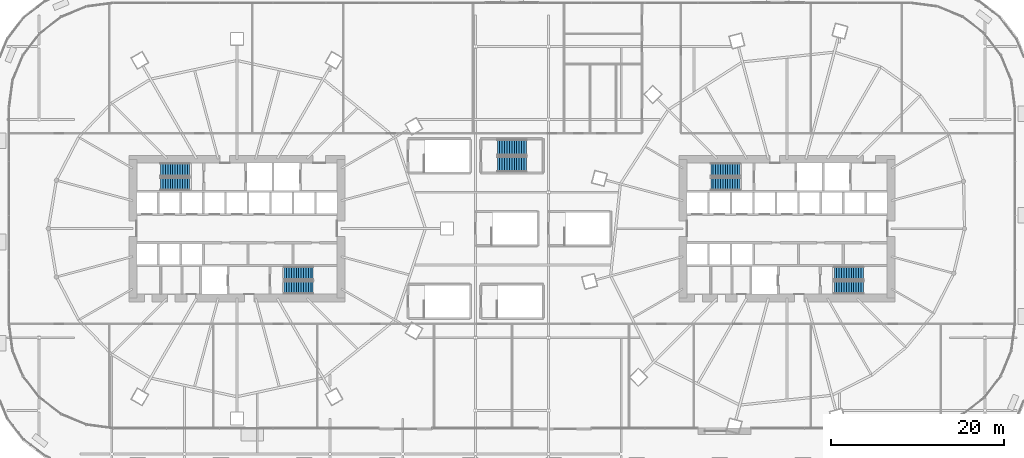
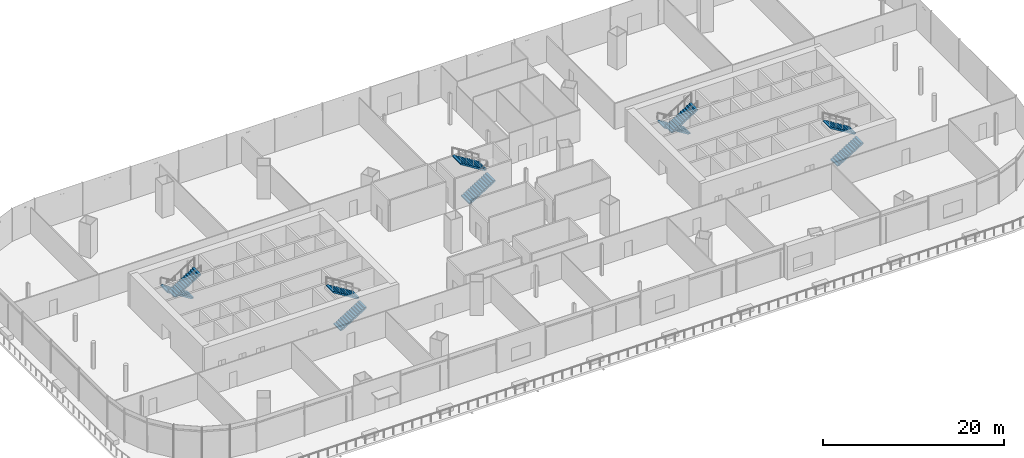
# One storey, part 39 of 49: 10 stair flights, 5 elements without a shape of their own.
"""IFC4 building model written with IfcOpenShell, lengths in metres."""

from ifc_helpers import new_model, si_unit, direction, frame, origin, place, context, subcontext, project, spatial, polyline, outline, extrude, material, type_object, element, aggregate, save


model = new_model("IFC4")

# Units and contexts
model_context = context("Model", 3, precision=1e-05, world=origin(), true_north=direction((0.0, 1.0)))
body_context = subcontext(model_context, "Body", "Model", "MODEL_VIEW")
ifc_project = project(units=[si_unit("LENGTHUNIT", "METRE"), si_unit("AREAUNIT", "SQUARE_METRE"), si_unit("VOLUMEUNIT", "CUBIC_METRE"), si_unit("PLANEANGLEUNIT", "RADIAN"), si_unit("MASSUNIT", "GRAM", prefix="KILO")], contexts=[model_context])

# Site, building, storey
site_placement = place(None, origin())
site = spatial("IfcSite", under=ifc_project, at=site_placement, CompositionType="ELEMENT")
building_placement = place(site_placement, origin())
building = spatial("IfcBuilding", under=site, at=building_placement, Name="Rimbun Link Towers", CompositionType="ELEMENT")
storey_placement = place(building_placement, frame((0.0, 0.0, 25.5)))
storey = spatial("IfcBuildingStorey", under=building, at=storey_placement, Name="L05", CompositionType="ELEMENT", Elevation=25.5)

# Stair, stair flights
ifc_material_1 = material(Name="Concrete C40/50", Category="concrete")
stair_type_1 = type_object("IfcStairType", Name="Exit stair 4500 rise", PredefinedType="HALF_TURN_STAIR", material=ifc_material_1)
stair_1_placement = place(storey_placement, origin())
stair_1 = element("IfcStair", 1, at=stair_1_placement, inside=storey, type_object=stair_type_1, Name="L05 EXIT STAIR A", PredefinedType="HALF_TURN_STAIR")
ifc_material_2 = material(Name="Concrete C40/50", Category="concrete")
stair_flight_type_1 = type_object("IfcStairFlightType", Name="Exit stair flight 4500 rise", PredefinedType="STRAIGHT", material=ifc_material_2)
stair_flight_1_placement = place(storey_placement, frame((-37.199951171875, 6.800048828125, 0.0), z_axis=(0.0, 0.0, 1.0), x_axis=(-1.0, 0.0, 0.0)))
stair_flight_1 = element("IfcStairFlight", 2, at=stair_flight_1_placement, type_object=stair_flight_type_1, Name="ST1 flight 1", NumberOfRisers=13, NumberOfTreads=12, PredefinedType="STRAIGHT", RiserHeight=0.173076923, TreadLength=0.28, context=body_context, shape_type="SweptSolid", body=[
    extrude(outline(polyline([(0.0, 0.0), (0.0, 0.173095703125), (0.280029296875, 0.173095703125), (0.280029296875, 0.34619140625), (0.56005859375, 0.34619140625), (0.56005859375, 0.519287109375), (0.840087890625, 0.519287109375), (0.840087890625, 0.6923828125), (1.1201171875, 0.6923828125), (1.1201171875, 0.865478515625), (1.39990234375, 0.865478515625), (1.39990234375, 1.03857421875), (1.679931640625, 1.03857421875), (1.679931640625, 1.21142578125), (1.9599609375, 1.21142578125), (1.9599609375, 1.384521484375), (2.239990234375, 1.384521484375), (2.239990234375, 1.5576171875), (2.52001953125, 1.5576171875), (2.52001953125, 1.730712890625), (2.800048828125, 1.730712890625), (2.800048828125, 1.90380859375), (3.080078125, 1.90380859375), (3.080078125, 2.076904296875), (3.360107421875, 2.076904296875), (3.360107421875, 2.25), (3.360107421875, 1.900634765625), (0.280029296875, 0.0), (0.0, 0.0)])), frame((0.0, 0.75, 0.0), z_axis=(0.0, -1.0, 0.0), x_axis=(1.0, 0.0, 0.0)), (0.0, 0.0, 1.0), 1.5),
])
stair_flight_2_placement = place(storey_placement, frame((-40.56005859375, 5.14990234375, 2.25), z_axis=(0.0, 0.0, 1.0), x_axis=(1.0, 0.0, 0.0)))
stair_flight_2 = element("IfcStairFlight", 3, at=stair_flight_2_placement, type_object=stair_flight_type_1, Name="ST1 flight 2", NumberOfRisers=13, NumberOfTreads=12, PredefinedType="STRAIGHT", RiserHeight=0.173076923, TreadLength=0.28, context=body_context, shape_type="SweptSolid", body=[
    extrude(outline(polyline([(0.0, 0.0), (0.0, 0.173095703125), (0.280029296875, 0.173095703125), (0.280029296875, 0.34619140625), (0.56005859375, 0.34619140625), (0.56005859375, 0.519287109375), (0.840087890625, 0.519287109375), (0.840087890625, 0.6923828125), (1.1201171875, 0.6923828125), (1.1201171875, 0.865478515625), (1.39990234375, 0.865478515625), (1.39990234375, 1.03857421875), (1.679931640625, 1.03857421875), (1.679931640625, 1.21142578125), (1.9599609375, 1.21142578125), (1.9599609375, 1.384521484375), (2.239990234375, 1.384521484375), (2.239990234375, 1.5576171875), (2.52001953125, 1.5576171875), (2.52001953125, 1.730712890625), (2.800048828125, 1.730712890625), (2.800048828125, 1.90380859375), (3.080078125, 1.90380859375), (3.080078125, 2.076904296875), (3.360107421875, 2.076904296875), (3.360107421875, 2.25), (3.360107421875, 1.900634765625), (0.280029296875, 0.0), (0.0, 0.0)])), frame((0.0, 0.75, 0.0), z_axis=(0.0, -1.0, 0.0), x_axis=(1.0, 0.0, 0.0)), (0.0, 0.0, 1.0), 1.5),
])
aggregate(stair_1, [stair_flight_1, stair_flight_2])

stair_2_placement = place(storey_placement, origin())
stair_2 = element("IfcStair", 4, at=stair_2_placement, inside=storey, type_object=stair_type_1, Name="L05 EXIT STAIR B", PredefinedType="HALF_TURN_STAIR")
stair_flight_3_placement = place(storey_placement, frame((-26.300048828125, -6.800048828125, 0.0), z_axis=(0.0, 0.0, 1.0), x_axis=(1.0, 0.0, 0.0)))
stair_flight_3 = element("IfcStairFlight", 5, at=stair_flight_3_placement, type_object=stair_flight_type_1, Name="ST2 flight 1", NumberOfRisers=13, NumberOfTreads=12, PredefinedType="STRAIGHT", RiserHeight=0.173076923, TreadLength=0.28, context=body_context, shape_type="SweptSolid", body=[
    extrude(outline(polyline([(0.0, 0.0), (0.0, 0.173095703125), (0.280029296875, 0.173095703125), (0.280029296875, 0.34619140625), (0.56005859375, 0.34619140625), (0.56005859375, 0.519287109375), (0.840087890625, 0.519287109375), (0.840087890625, 0.6923828125), (1.1201171875, 0.6923828125), (1.1201171875, 0.865478515625), (1.39990234375, 0.865478515625), (1.39990234375, 1.03857421875), (1.679931640625, 1.03857421875), (1.679931640625, 1.21142578125), (1.9599609375, 1.21142578125), (1.9599609375, 1.384521484375), (2.239990234375, 1.384521484375), (2.239990234375, 1.5576171875), (2.52001953125, 1.5576171875), (2.52001953125, 1.730712890625), (2.800048828125, 1.730712890625), (2.800048828125, 1.90380859375), (3.080078125, 1.90380859375), (3.080078125, 2.076904296875), (3.360107421875, 2.076904296875), (3.360107421875, 2.25), (3.360107421875, 1.900634765625), (0.280029296875, 0.0), (0.0, 0.0)])), frame((0.0, 0.75, 0.0), z_axis=(0.0, -1.0, 0.0), x_axis=(1.0, 0.0, 0.0)), (0.0, 0.0, 1.0), 1.5),
])
stair_flight_4_placement = place(storey_placement, frame((-22.93994140625, -5.14990234375, 2.25), z_axis=(0.0, 0.0, 1.0), x_axis=(-1.0, 0.0, 0.0)))
stair_flight_4 = element("IfcStairFlight", 6, at=stair_flight_4_placement, type_object=stair_flight_type_1, Name="ST2 flight 2", NumberOfRisers=13, NumberOfTreads=12, PredefinedType="STRAIGHT", RiserHeight=0.173076923, TreadLength=0.28, context=body_context, shape_type="SweptSolid", body=[
    extrude(outline(polyline([(0.0, 0.0), (0.0, 0.173095703125), (0.280029296875, 0.173095703125), (0.280029296875, 0.34619140625), (0.56005859375, 0.34619140625), (0.56005859375, 0.519287109375), (0.840087890625, 0.519287109375), (0.840087890625, 0.6923828125), (1.1201171875, 0.6923828125), (1.1201171875, 0.865478515625), (1.39990234375, 0.865478515625), (1.39990234375, 1.03857421875), (1.679931640625, 1.03857421875), (1.679931640625, 1.21142578125), (1.9599609375, 1.21142578125), (1.9599609375, 1.384521484375), (2.239990234375, 1.384521484375), (2.239990234375, 1.5576171875), (2.52001953125, 1.5576171875), (2.52001953125, 1.730712890625), (2.800048828125, 1.730712890625), (2.800048828125, 1.90380859375), (3.080078125, 1.90380859375), (3.080078125, 2.076904296875), (3.360107421875, 2.076904296875), (3.360107421875, 2.25), (3.360107421875, 1.900634765625), (0.280029296875, 0.0), (0.0, 0.0)])), frame((0.0, 0.75, 0.0), z_axis=(0.0, -1.0, 0.0), x_axis=(1.0, 0.0, 0.0)), (0.0, 0.0, 1.0), 1.5),
])
aggregate(stair_2, [stair_flight_3, stair_flight_4])

stair_3_placement = place(storey_placement, origin())
stair_3 = element("IfcStair", 7, at=stair_3_placement, inside=storey, type_object=stair_type_1, Name="L05 EXIT STAIR A", PredefinedType="HALF_TURN_STAIR")
stair_flight_5_placement = place(storey_placement, frame((26.300048828125, 6.800048828125, 0.0), z_axis=(0.0, 0.0, 1.0), x_axis=(-1.0, 0.0, 0.0)))
stair_flight_5 = element("IfcStairFlight", 8, at=stair_flight_5_placement, type_object=stair_flight_type_1, Name="ST3 flight 1", NumberOfRisers=13, NumberOfTreads=12, PredefinedType="STRAIGHT", RiserHeight=0.173076923, TreadLength=0.28, context=body_context, shape_type="SweptSolid", body=[
    extrude(outline(polyline([(0.0, 0.0), (0.0, 0.173095703125), (0.280029296875, 0.173095703125), (0.280029296875, 0.34619140625), (0.56005859375, 0.34619140625), (0.56005859375, 0.519287109375), (0.840087890625, 0.519287109375), (0.840087890625, 0.6923828125), (1.1201171875, 0.6923828125), (1.1201171875, 0.865478515625), (1.39990234375, 0.865478515625), (1.39990234375, 1.03857421875), (1.679931640625, 1.03857421875), (1.679931640625, 1.21142578125), (1.9599609375, 1.21142578125), (1.9599609375, 1.384521484375), (2.239990234375, 1.384521484375), (2.239990234375, 1.5576171875), (2.52001953125, 1.5576171875), (2.52001953125, 1.730712890625), (2.800048828125, 1.730712890625), (2.800048828125, 1.90380859375), (3.080078125, 1.90380859375), (3.080078125, 2.076904296875), (3.360107421875, 2.076904296875), (3.360107421875, 2.25), (3.360107421875, 1.900634765625), (0.280029296875, 0.0), (0.0, 0.0)])), frame((0.0, 0.75, 0.0), z_axis=(0.0, -1.0, 0.0), x_axis=(1.0, 0.0, 0.0)), (0.0, 0.0, 1.0), 1.5),
])
stair_flight_6_placement = place(storey_placement, frame((22.93994140625, 5.14990234375, 2.25), z_axis=(0.0, 0.0, 1.0), x_axis=(1.0, 0.0, 0.0)))
stair_flight_6 = element("IfcStairFlight", 9, at=stair_flight_6_placement, type_object=stair_flight_type_1, Name="ST3 flight 2", NumberOfRisers=13, NumberOfTreads=12, PredefinedType="STRAIGHT", RiserHeight=0.173076923, TreadLength=0.28, context=body_context, shape_type="SweptSolid", body=[
    extrude(outline(polyline([(0.0, 0.0), (0.0, 0.173095703125), (0.280029296875, 0.173095703125), (0.280029296875, 0.34619140625), (0.56005859375, 0.34619140625), (0.56005859375, 0.519287109375), (0.840087890625, 0.519287109375), (0.840087890625, 0.6923828125), (1.1201171875, 0.6923828125), (1.1201171875, 0.865478515625), (1.39990234375, 0.865478515625), (1.39990234375, 1.03857421875), (1.679931640625, 1.03857421875), (1.679931640625, 1.21142578125), (1.9599609375, 1.21142578125), (1.9599609375, 1.384521484375), (2.239990234375, 1.384521484375), (2.239990234375, 1.5576171875), (2.52001953125, 1.5576171875), (2.52001953125, 1.730712890625), (2.800048828125, 1.730712890625), (2.800048828125, 1.90380859375), (3.080078125, 1.90380859375), (3.080078125, 2.076904296875), (3.360107421875, 2.076904296875), (3.360107421875, 2.25), (3.360107421875, 1.900634765625), (0.280029296875, 0.0), (0.0, 0.0)])), frame((0.0, 0.75, 0.0), z_axis=(0.0, -1.0, 0.0), x_axis=(1.0, 0.0, 0.0)), (0.0, 0.0, 1.0), 1.5),
])
aggregate(stair_3, [stair_flight_5, stair_flight_6])

stair_4_placement = place(storey_placement, origin())
stair_4 = element("IfcStair", 10, at=stair_4_placement, inside=storey, type_object=stair_type_1, Name="L05 EXIT STAIR B", PredefinedType="HALF_TURN_STAIR")
stair_flight_7_placement = place(storey_placement, frame((37.199951171875, -6.800048828125, 0.0), z_axis=(0.0, 0.0, 1.0), x_axis=(1.0, 0.0, 0.0)))
stair_flight_7 = element("IfcStairFlight", 11, at=stair_flight_7_placement, type_object=stair_flight_type_1, Name="ST4 flight 1", NumberOfRisers=13, NumberOfTreads=12, PredefinedType="STRAIGHT", RiserHeight=0.173076923, TreadLength=0.28, context=body_context, shape_type="SweptSolid", body=[
    extrude(outline(polyline([(0.0, 0.0), (0.0, 0.173095703125), (0.280029296875, 0.173095703125), (0.280029296875, 0.34619140625), (0.56005859375, 0.34619140625), (0.56005859375, 0.519287109375), (0.840087890625, 0.519287109375), (0.840087890625, 0.6923828125), (1.1201171875, 0.6923828125), (1.1201171875, 0.865478515625), (1.39990234375, 0.865478515625), (1.39990234375, 1.03857421875), (1.679931640625, 1.03857421875), (1.679931640625, 1.21142578125), (1.9599609375, 1.21142578125), (1.9599609375, 1.384521484375), (2.239990234375, 1.384521484375), (2.239990234375, 1.5576171875), (2.52001953125, 1.5576171875), (2.52001953125, 1.730712890625), (2.800048828125, 1.730712890625), (2.800048828125, 1.90380859375), (3.080078125, 1.90380859375), (3.080078125, 2.076904296875), (3.360107421875, 2.076904296875), (3.360107421875, 2.25), (3.360107421875, 1.900634765625), (0.280029296875, 0.0), (0.0, 0.0)])), frame((0.0, 0.75, 0.0), z_axis=(0.0, -1.0, 0.0), x_axis=(1.0, 0.0, 0.0)), (0.0, 0.0, 1.0), 1.5),
])
stair_flight_8_placement = place(storey_placement, frame((40.56005859375, -5.14990234375, 2.25), z_axis=(0.0, 0.0, 1.0), x_axis=(-1.0, 0.0, 0.0)))
stair_flight_8 = element("IfcStairFlight", 12, at=stair_flight_8_placement, type_object=stair_flight_type_1, Name="ST4 flight 2", NumberOfRisers=13, NumberOfTreads=12, PredefinedType="STRAIGHT", RiserHeight=0.173076923, TreadLength=0.28, context=body_context, shape_type="SweptSolid", body=[
    extrude(outline(polyline([(0.0, 0.0), (0.0, 0.173095703125), (0.280029296875, 0.173095703125), (0.280029296875, 0.34619140625), (0.56005859375, 0.34619140625), (0.56005859375, 0.519287109375), (0.840087890625, 0.519287109375), (0.840087890625, 0.6923828125), (1.1201171875, 0.6923828125), (1.1201171875, 0.865478515625), (1.39990234375, 0.865478515625), (1.39990234375, 1.03857421875), (1.679931640625, 1.03857421875), (1.679931640625, 1.21142578125), (1.9599609375, 1.21142578125), (1.9599609375, 1.384521484375), (2.239990234375, 1.384521484375), (2.239990234375, 1.5576171875), (2.52001953125, 1.5576171875), (2.52001953125, 1.730712890625), (2.800048828125, 1.730712890625), (2.800048828125, 1.90380859375), (3.080078125, 1.90380859375), (3.080078125, 2.076904296875), (3.360107421875, 2.076904296875), (3.360107421875, 2.25), (3.360107421875, 1.900634765625), (0.280029296875, 0.0), (0.0, 0.0)])), frame((0.0, 0.75, 0.0), z_axis=(0.0, -1.0, 0.0), x_axis=(1.0, 0.0, 0.0)), (0.0, 0.0, 1.0), 1.5),
])
aggregate(stair_4, [stair_flight_7, stair_flight_8])

ifc_material_3 = material(Name="Concrete C40/50", Category="concrete")
stair_type_2 = type_object("IfcStairType", Name="Podium exit stair 1800", PredefinedType="HALF_TURN_STAIR", material=ifc_material_3)
stair_5_placement = place(storey_placement, origin())
stair_5 = element("IfcStair", 13, at=stair_5_placement, inside=storey, type_object=stair_type_2, Name="L05 PODIUM EXIT STAIR", PredefinedType="HALF_TURN_STAIR")
ifc_material_4 = material(Name="Concrete C40/50", Category="concrete")
stair_flight_type_2 = type_object("IfcStairFlightType", Name="Podium exit stair flight 1800", PredefinedType="STRAIGHT", material=ifc_material_4)
stair_flight_9_placement = place(storey_placement, frame((-1.699951171875, 7.425048828125, 0.0), z_axis=(0.0, 0.0, 1.0), x_axis=(1.0, 0.0, 0.0)))
stair_flight_9 = element("IfcStairFlight", 14, at=stair_flight_9_placement, type_object=stair_flight_type_2, Name="PS4 flight 1", NumberOfRisers=13, NumberOfTreads=12, PredefinedType="STRAIGHT", RiserHeight=0.173076923, TreadLength=0.28, context=body_context, shape_type="SweptSolid", body=[
    extrude(outline(polyline([(0.0, 0.0), (0.0, 0.173095703125), (0.280029296875, 0.173095703125), (0.280029296875, 0.34619140625), (0.56005859375, 0.34619140625), (0.56005859375, 0.519287109375), (0.840087890625, 0.519287109375), (0.840087890625, 0.6923828125), (1.1201171875, 0.6923828125), (1.1201171875, 0.865478515625), (1.39990234375, 0.865478515625), (1.39990234375, 1.03857421875), (1.679931640625, 1.03857421875), (1.679931640625, 1.21142578125), (1.9599609375, 1.21142578125), (1.9599609375, 1.384521484375), (2.239990234375, 1.384521484375), (2.239990234375, 1.5576171875), (2.52001953125, 1.5576171875), (2.52001953125, 1.730712890625), (2.800048828125, 1.730712890625), (2.800048828125, 1.90380859375), (3.080078125, 1.90380859375), (3.080078125, 2.076904296875), (3.360107421875, 2.076904296875), (3.360107421875, 2.25), (3.360107421875, 1.900634765625), (0.280029296875, 0.0), (0.0, 0.0)])), frame((0.0, 0.89990234375, 0.0), z_axis=(0.0, -1.0, 0.0), x_axis=(1.0, 0.0, 0.0)), (0.0, 0.0, 1.0), 1.800048828125),
])
stair_flight_10_placement = place(storey_placement, frame((1.659912109375, 9.375, 2.25), z_axis=(0.0, 0.0, 1.0), x_axis=(-1.0, 0.0, 0.0)))
stair_flight_10 = element("IfcStairFlight", 15, at=stair_flight_10_placement, type_object=stair_flight_type_2, Name="PS4 flight 2", NumberOfRisers=13, NumberOfTreads=12, PredefinedType="STRAIGHT", RiserHeight=0.173076923, TreadLength=0.28, context=body_context, shape_type="SweptSolid", body=[
    extrude(outline(polyline([(0.0, 0.0), (0.0, 0.173095703125), (0.280029296875, 0.173095703125), (0.280029296875, 0.34619140625), (0.56005859375, 0.34619140625), (0.56005859375, 0.519287109375), (0.840087890625, 0.519287109375), (0.840087890625, 0.6923828125), (1.1201171875, 0.6923828125), (1.1201171875, 0.865478515625), (1.39990234375, 0.865478515625), (1.39990234375, 1.03857421875), (1.679931640625, 1.03857421875), (1.679931640625, 1.21142578125), (1.9599609375, 1.21142578125), (1.9599609375, 1.384521484375), (2.239990234375, 1.384521484375), (2.239990234375, 1.5576171875), (2.52001953125, 1.5576171875), (2.52001953125, 1.730712890625), (2.800048828125, 1.730712890625), (2.800048828125, 1.90380859375), (3.080078125, 1.90380859375), (3.080078125, 2.076904296875), (3.360107421875, 2.076904296875), (3.360107421875, 2.25), (3.360107421875, 1.900634765625), (0.280029296875, 0.0), (0.0, 0.0)])), frame((0.0, 0.89990234375, 0.0), z_axis=(0.0, -1.0, 0.0), x_axis=(1.0, 0.0, 0.0)), (0.0, 0.0, 1.0), 1.800048828125),
])
aggregate(stair_5, [stair_flight_9, stair_flight_10])

save(model, "model.ifc")
